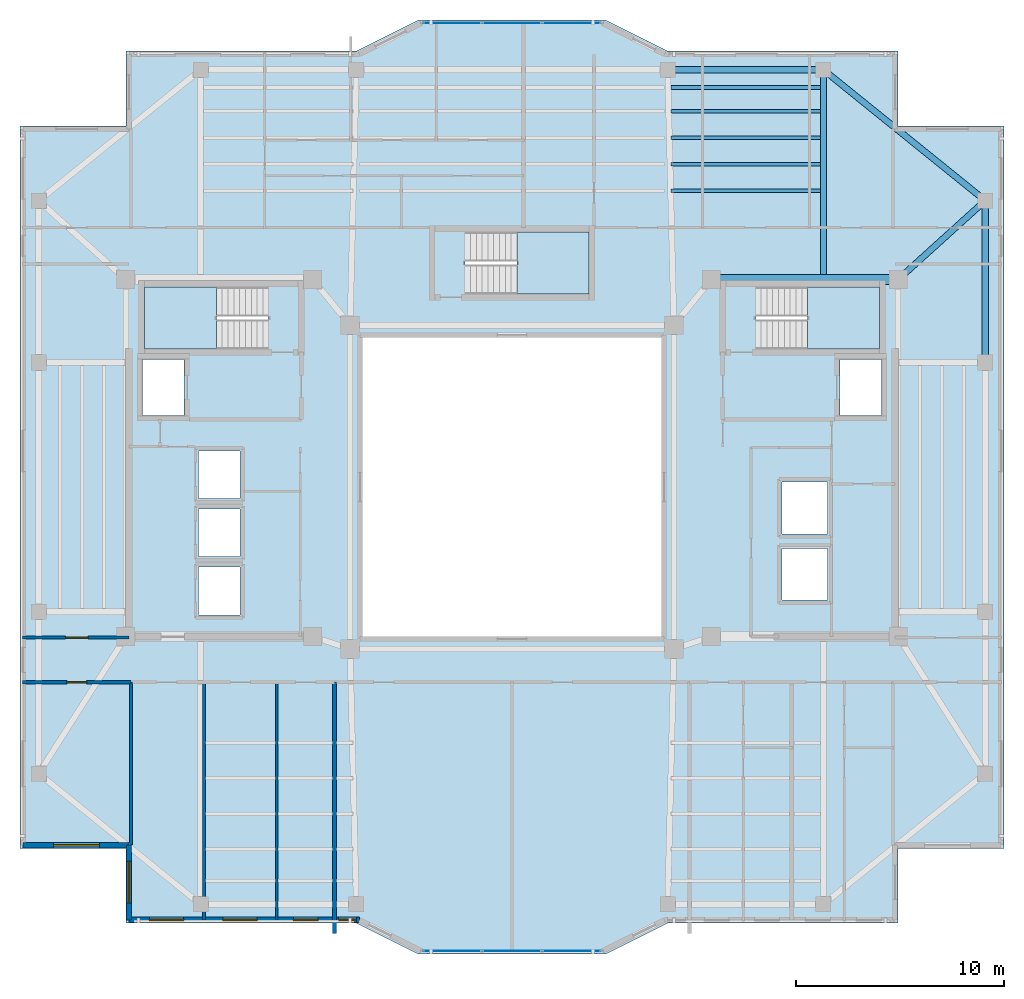
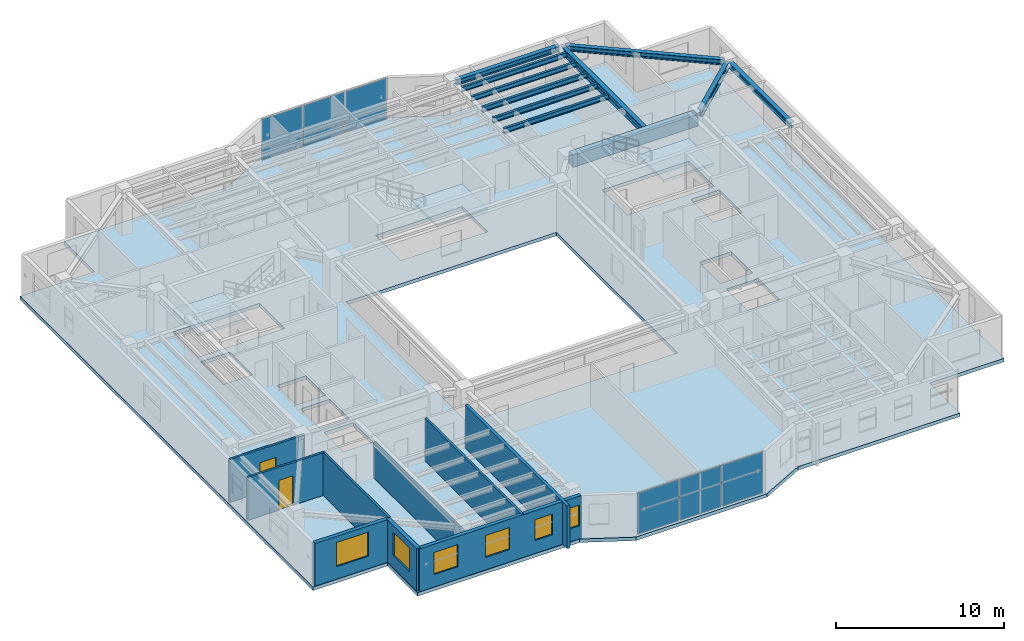
# One storey, part 5 of 13: 11 beams, 9 walls, 6 plates, 6 windows, 4 slabs, 2 doors, 8 openings, 5 elements without a shape of their own.
"""IFC4 building model written with IfcOpenShell, lengths in metres."""

from ifc_helpers import new_model, si_unit, direction, frame, frame_2d, origin, origin_2d, place, context, subcontext, project, spatial, polyline, rectangle, i_section, outline, extrude, material, layer, layer_set, material_profile, profile_set, type_object, element, fill, aggregate, save


model = new_model("IFC4")

# Units and contexts
model_context = context("Model", 3, precision=1e-05, world=origin(), true_north=direction((0.0, 1.0)))
body_context = subcontext(model_context, "Body", "Model", "MODEL_VIEW")
ifc_project = project(units=[si_unit("LENGTHUNIT", "METRE"), si_unit("AREAUNIT", "SQUARE_METRE"), si_unit("VOLUMEUNIT", "CUBIC_METRE"), si_unit("PLANEANGLEUNIT", "RADIAN"), si_unit("MASSUNIT", "GRAM", prefix="KILO")], contexts=[model_context])

# Site, building, storey
site_placement = place(None, origin())
site = spatial("IfcSite", under=ifc_project, at=site_placement, CompositionType="ELEMENT")
building_placement = place(site_placement, origin())
building = spatial("IfcBuilding", under=site, at=building_placement, Name="Tarnavaz Court Tower", CompositionType="ELEMENT")
storey_placement = place(building_placement, frame((0.0, 0.0, 196.949951171875)))
storey = spatial("IfcBuildingStorey", under=building, at=storey_placement, Name="L53", CompositionType="ELEMENT", Elevation=196.949951171875)

# Beams
ifc_material_1 = material(Name="Concrete C50/60", Category="concrete")
ifc_material_profile_1 = material_profile(ifc_material_1, rectangle(XDim=0.5, YDim=0.85009765625, at=origin_2d()), Name="RC 500X850")
ifc_profile_set_1 = profile_set([ifc_material_profile_1], Name="Concrete C50/60")
beam_type_1 = type_object("IfcBeamType", Name="BM-CB850", PredefinedType="LINTEL", material=ifc_profile_set_1)
beam_1_placement = place(storey_placement, frame((18.3798828125, 10.0, 2.675048828125), z_axis=(-1.0, 0.0, 0.0), x_axis=(0.0, -1.0, 0.0)))
element("IfcBeam", 1, at=beam_1_placement, inside=storey, type_object=beam_type_1, Name="L53 Beam IN-CE-NO-CE-NI", PredefinedType="LINTEL", context=body_context, shape_type="SweptSolid", body=[
    extrude(rectangle(XDim=0.5, YDim=0.85009765625, at=origin_2d()), origin(), (0.0, 0.0, 1.0), 8.559814453125),
])
ifc_material_2 = material(Name="Steel S355", Category="steel")
ifc_material_profile_2 = material_profile(ifc_material_2, i_section(OverallWidth=0.300048828125, OverallDepth=0.5, WebThickness=0.014404296875, FlangeThickness=0.028076171875, FilletRadius=0.027099609375, at=origin_2d()), Name="HEB 500")
ifc_profile_set_2 = profile_set([ifc_material_profile_2], Name="Steel S355")
beam_type_2 = type_object("IfcBeamType", Name="BM-G-HEB500", PredefinedType="USERDEFINED", material=ifc_profile_set_2)
beam_2_placement = place(storey_placement, frame((15.0, 10.0400390625, 2.85009765625), z_axis=(0.0, 1.0, 0.0), x_axis=(-1.0, 0.0, 0.0)))
element("IfcBeam", 2, at=beam_2_placement, inside=storey, type_object=beam_type_2, Name="L53 Beam RG-04", ObjectType="GIRDER", PredefinedType="USERDEFINED", context=body_context, shape_type="SweptSolid", body=[
    extrude(i_section(OverallWidth=0.300048828125, OverallDepth=0.5, WebThickness=0.014404296875, FlangeThickness=0.028076171875, FilletRadius=0.027099609375, at=origin_2d()), origin(), (0.0, 0.0, 1.0), 9.83984375),
])
beam_3_placement = place(storey_placement, frame((18.76318359375, 10.147705078125, 2.85009765625), z_axis=(0.741555708494, 0.670891296113, 0.0), x_axis=(-0.670891296113, 0.741555708494, 0.0)))
element("IfcBeam", 3, at=beam_3_placement, inside=storey, type_object=beam_type_2, Name="L53 Beam RG-12", ObjectType="GIRDER", PredefinedType="USERDEFINED", context=body_context, shape_type="SweptSolid", body=[
    extrude(i_section(OverallWidth=0.300048828125, OverallDepth=0.5, WebThickness=0.014404296875, FlangeThickness=0.028076171875, FilletRadius=0.027099609375, at=origin_2d()), origin(), (0.0, 0.0, 1.0), 5.223876953125),
])
ifc_material_profile_3 = material_profile(ifc_material_2, i_section(OverallWidth=0.169921875, OverallDepth=0.360107421875, WebThickness=0.008056640625, FlangeThickness=0.0126953125, FilletRadius=0.01806640625, at=origin_2d()), Name="IPE 360")
ifc_profile_set_3 = profile_set([ifc_material_profile_3], Name="Steel S355")
beam_type_3 = type_object("IfcBeamType", Name="BM-J-IPE360", PredefinedType="JOIST", material=ifc_profile_set_3)
for number, where, z_axis, x_axis, name in (
    (4, (7.64990234375, 14.278076171875, 2.920166015625), (1.0, 0.0, 0.0), (0.0, 1.0, 0.0), "L53 Beam JN1-3"),
    (5, (7.64990234375, 15.555908203125, 2.920166015625), (1.0, 0.0, 0.0), (0.0, 1.0, 0.0), "L53 Beam JN2-3"),
    (6, (7.64990234375, 16.833984375, 2.920166015625), (1.0, 0.0, 0.0), (0.0, 1.0, 0.0), "L53 Beam JN3-3"),
    (7, (7.64990234375, 18.112060546875, 2.920166015625), (1.0, 0.0, 0.0), (0.0, 1.0, 0.0), "L53 Beam JN4-3"),
    (8, (7.64990234375, 19.248046875, 2.920166015625), (1.0, 0.0, 0.0), (0.0, 1.0, 0.0), "L53 Beam JN5-3"),
):
    element("IfcBeam", number, at=place(storey_placement, frame(where, z_axis=z_axis, x_axis=x_axis)), inside=storey, type_object=beam_type_3, Name=name, PredefinedType="JOIST", context=body_context, shape_type="SweptSolid", body=[
        extrude(i_section(OverallWidth=0.169921875, OverallDepth=0.360107421875, WebThickness=0.008056640625, FlangeThickness=0.0126953125, FilletRadius=0.01806640625, at=origin_2d()), origin(), (0.0, 0.0, 1.0), 7.2001953125),
    ])
ifc_material_profile_4 = material_profile(ifc_material_2, i_section(OverallWidth=0.300048828125, OverallDepth=0.389892578125, WebThickness=0.010986328125, FlangeThickness=0.01904296875, FilletRadius=0.027099609375, at=origin_2d()), Name="HEA 400")
ifc_profile_set_4 = profile_set([ifc_material_profile_4], Name="Steel S355")
beam_type_4 = type_object("IfcBeamType", Name="BM-SP-HEA400", PredefinedType="BEAM", material=ifc_profile_set_4)
beam_4_placement = place(storey_placement, frame((7.719970703125, 20.10009765625, 2.905029296875), z_axis=(1.0, 0.0, 0.0), x_axis=(0.0, 1.0, 0.0)))
element("IfcBeam", 9, at=beam_4_placement, inside=storey, type_object=beam_type_4, Name="L53 Beam PR-PN-3-PN-4", PredefinedType="BEAM", context=body_context, shape_type="SweptSolid", body=[
    extrude(i_section(OverallWidth=0.300048828125, OverallDepth=0.389892578125, WebThickness=0.010986328125, FlangeThickness=0.01904296875, FilletRadius=0.027099609375, at=origin_2d()), origin(), (0.0, 0.0, 1.0), 7.06005859375),
])
beam_5_placement = place(storey_placement, frame((22.800048828125, 6.219970703125, 2.905029296875), z_axis=(0.0, 1.0, 0.0), x_axis=(-1.0, 0.0, 0.0)))
element("IfcBeam", 10, at=beam_5_placement, inside=storey, type_object=beam_type_4, Name="L53 Beam PR-PE-3-PE-4", PredefinedType="BEAM", context=body_context, shape_type="SweptSolid", body=[
    extrude(i_section(OverallWidth=0.300048828125, OverallDepth=0.389892578125, WebThickness=0.010986328125, FlangeThickness=0.01904296875, FilletRadius=0.027099609375, at=origin_2d()), origin(), (0.0, 0.0, 1.0), 7.360107421875),
])
beam_6_placement = place(storey_placement, frame((15.171142578125, 19.9619140625, 2.905029296875), z_axis=(0.777935913531, -0.628343627674, 0.0), x_axis=(0.628343627674, 0.777935913531, 0.0)))
element("IfcBeam", 11, at=beam_6_placement, inside=storey, type_object=beam_type_4, Name="L53 Beam PR-PN-4-PE-4", PredefinedType="BEAM", context=body_context, shape_type="SweptSolid", body=[
    extrude(i_section(OverallWidth=0.300048828125, OverallDepth=0.389892578125, WebThickness=0.010986328125, FlangeThickness=0.01904296875, FilletRadius=0.027099609375, at=origin_2d()), origin(), (0.0, 0.0, 1.0), 9.586669921875),
])

# Curtain wall, plates
ifc_material_3 = material(Name="Anodised Aluminium 6063-T6 and Solar Low-E Glazing", Category="aluminium")
ifc_layer_1 = layer(ifc_material_3, 0.159912109375)
ifc_layer_set_1 = layer_set([ifc_layer_1], Name="Anodised Aluminium 6063-T6 and Solar Low-E Glazing")
curtain_wall_type = type_object("IfcCurtainWallType", Name="CW-SYS-03", PredefinedType="NOTDEFINED", material=ifc_layer_set_1)
curtain_wall_1_placement = place(storey_placement, origin())
curtain_wall_1 = element("IfcCurtainWall", 12, at=curtain_wall_1_placement, inside=storey, type_object=curtain_wall_type, Name="L53 Iwan Prow Curtain Wall 7", PredefinedType="NOTDEFINED")
ifc_material_4 = material(Name="Double-Glazed Solar Low-E Glass", Category="glass")
ifc_layer_2 = layer(ifc_material_4, 0.028076171875)
ifc_layer_set_2 = layer_set([ifc_layer_2], Name="Double-Glazed Solar Low-E Glass")
plate_type = type_object("IfcPlateType", Name="CW-PAN-GLZ28", PredefinedType="CURTAIN_PANEL", material=ifc_layer_set_2)
plate_1_placement = place(storey_placement, frame((-2.88134765625, 22.35009765625, 0.06494140625), z_axis=(0.0, 0.0, 1.0), x_axis=(1.0, 0.0, 0.0)))
plate_1 = element("IfcPlate", 13, at=plate_1_placement, type_object=plate_type, Name="CW panel 1.1", PredefinedType="CURTAIN_PANEL", context=body_context, shape_type="SweptSolid", body=[
    extrude(rectangle(XDim=2.78759765625, YDim=0.028076171875, at=origin_2d()), origin(), (0.0, 0.0, 1.0), 2.969970703125),
])
plate_2_placement = place(storey_placement, frame((0.0, 22.35009765625, 0.06494140625), z_axis=(0.0, 0.0, 1.0), x_axis=(1.0, 0.0, 0.0)))
plate_2 = element("IfcPlate", 14, at=plate_2_placement, type_object=plate_type, Name="CW panel 2.1", PredefinedType="CURTAIN_PANEL", context=body_context, shape_type="SweptSolid", body=[
    extrude(rectangle(XDim=2.824951171875, YDim=0.028076171875, at=origin_2d()), origin(), (0.0, 0.0, 1.0), 2.969970703125),
])
plate_3_placement = place(storey_placement, frame((2.88134765625, 22.35009765625, 0.06494140625), z_axis=(0.0, 0.0, 1.0), x_axis=(1.0, 0.0, 0.0)))
plate_3 = element("IfcPlate", 15, at=plate_3_placement, type_object=plate_type, Name="CW panel 3.1", PredefinedType="CURTAIN_PANEL", context=body_context, shape_type="SweptSolid", body=[
    extrude(rectangle(XDim=2.78759765625, YDim=0.028076171875, at=origin_2d()), origin(), (0.0, 0.0, 1.0), 2.969970703125),
])
aggregate(curtain_wall_1, [plate_1, plate_2, plate_3])

curtain_wall_2_placement = place(storey_placement, origin())
curtain_wall_2 = element("IfcCurtainWall", 16, at=curtain_wall_2_placement, inside=storey, type_object=curtain_wall_type, Name="L53 Iwan Prow Curtain Wall 17", PredefinedType="NOTDEFINED")
plate_4_placement = place(storey_placement, frame((2.88134765625, -22.35009765625, 0.06494140625), z_axis=(0.0, 0.0, 1.0), x_axis=(-1.0, 0.0, 0.0)))
plate_4 = element("IfcPlate", 17, at=plate_4_placement, type_object=plate_type, Name="CW panel 1.1", PredefinedType="CURTAIN_PANEL", context=body_context, shape_type="SweptSolid", body=[
    extrude(rectangle(XDim=2.78759765625, YDim=0.028076171875, at=origin_2d()), origin(), (0.0, 0.0, 1.0), 2.969970703125),
])
plate_5_placement = place(storey_placement, frame((0.0, -22.35009765625, 0.06494140625), z_axis=(0.0, 0.0, 1.0), x_axis=(-1.0, 0.0, 0.0)))
plate_5 = element("IfcPlate", 18, at=plate_5_placement, type_object=plate_type, Name="CW panel 2.1", PredefinedType="CURTAIN_PANEL", context=body_context, shape_type="SweptSolid", body=[
    extrude(rectangle(XDim=2.824951171875, YDim=0.028076171875, at=origin_2d()), origin(), (0.0, 0.0, 1.0), 2.969970703125),
])
plate_6_placement = place(storey_placement, frame((-2.88134765625, -22.35009765625, 0.06494140625), z_axis=(0.0, 0.0, 1.0), x_axis=(-1.0, 0.0, 0.0)))
plate_6 = element("IfcPlate", 19, at=plate_6_placement, type_object=plate_type, Name="CW panel 3.1", PredefinedType="CURTAIN_PANEL", context=body_context, shape_type="SweptSolid", body=[
    extrude(rectangle(XDim=2.78759765625, YDim=0.028076171875, at=origin_2d()), origin(), (0.0, 0.0, 1.0), 2.969970703125),
])
aggregate(curtain_wall_2, [plate_4, plate_5, plate_6])

# Stair, slab
ifc_material_5 = material(Name="Concrete C40/50", Category="concrete")
stair_type = type_object("IfcStairType", Name="ST-TWR-20R", PredefinedType="HALF_TURN_STAIR", material=ifc_material_5)
stair_1_placement = place(storey_placement, origin())
stair_1 = element("IfcStair", 20, at=stair_1_placement, inside=storey, type_object=stair_type, Name="L53 West Core Pressurized Exit Stair ST-W1", PredefinedType="HALF_TURN_STAIR")
ifc_layer_3 = layer(ifc_material_5, 0.199951171875)
ifc_layer_set_3 = layer_set([ifc_layer_3], Name="Concrete C40/50")
slab_type_1 = type_object("IfcSlabType", Name="SL-LAND-200", PredefinedType="LANDING", material=ifc_layer_set_3)
slab_1_placement = place(storey_placement, frame((0.0, 0.0, 1.47509765625)))
slab_1 = element("IfcSlab", 21, at=slab_1_placement, type_object=slab_type_1, Name="ST-W1 landing 1", PredefinedType="LANDING", context=body_context, shape_type="SweptSolid", body=[
    extrude(outline(polyline([(-14.239990234375, 9.639892578125), (-17.699951171875, 9.639892578125), (-17.699951171875, 6.64990234375), (-14.239990234375, 6.64990234375), (-14.239990234375, 9.639892578125)])), origin(), (0.0, 0.0, 1.0), 0.199951171875),
])
aggregate(stair_1, [slab_1])

stair_2_placement = place(storey_placement, origin())
stair_2 = element("IfcStair", 22, at=stair_2_placement, inside=storey, type_object=stair_type, Name="L53 East Core Pressurized Exit Stair ST-E1", PredefinedType="HALF_TURN_STAIR")
slab_2_placement = place(storey_placement, frame((0.0, 0.0, 1.47509765625)))
slab_2 = element("IfcSlab", 23, at=slab_2_placement, type_object=slab_type_1, Name="ST-E1 landing 1", PredefinedType="LANDING", context=body_context, shape_type="SweptSolid", body=[
    extrude(outline(polyline([(14.239990234375, 6.64990234375), (17.699951171875, 6.64990234375), (17.699951171875, 9.639892578125), (14.239990234375, 9.639892578125), (14.239990234375, 6.64990234375)])), origin(), (0.0, 0.0, 1.0), 0.199951171875),
])
aggregate(stair_2, [slab_2])

stair_3_placement = place(storey_placement, origin())
stair_3 = element("IfcStair", 24, at=stair_3_placement, inside=storey, type_object=stair_type, Name="L53 North Ring Pressurized Exit Stair ST-N1", PredefinedType="HALF_TURN_STAIR")
slab_3_placement = place(storey_placement, frame((0.0, 0.0, 1.47509765625)))
slab_3 = element("IfcSlab", 25, at=slab_3_placement, type_object=slab_type_1, Name="ST-N1 landing 1", PredefinedType="LANDING", context=body_context, shape_type="SweptSolid", body=[
    extrude(outline(polyline([(0.239990234375, 9.300048828125), (3.699951171875, 9.300048828125), (3.699951171875, 12.2900390625), (0.239990234375, 12.2900390625), (0.239990234375, 9.300048828125)])), origin(), (0.0, 0.0, 1.0), 0.199951171875),
])
aggregate(stair_3, [slab_3])

# Slab
ifc_layer_4 = layer(ifc_material_5, 0.25)
ifc_layer_set_4 = layer_set([ifc_layer_4], Name="Concrete C40/50")
slab_type_2 = type_object("IfcSlabType", Name="SL-RES-250", PredefinedType="FLOOR", material=ifc_layer_set_4)
slab_4_placement = place(storey_placement, frame((0.0, 0.0, -0.25)))
element("IfcSlab", 26, at=slab_4_placement, inside=storey, type_object=slab_type_2, Name="L53 Structural Floor Slab", PredefinedType="FLOOR", context=body_context, shape_type="SweptSolid", body=[
    extrude(outline(polyline([(-18.60009765625, -21.0), (-7.5, -21.0), (-4.5, -22.5), (4.5, -22.5), (7.5, -21.0), (18.60009765625, -21.0), (18.60009765625, -17.39990234375), (23.699951171875, -17.39990234375), (23.699951171875, 17.39990234375), (18.60009765625, 17.39990234375), (18.60009765625, 21.0), (7.5, 21.0), (4.5, 22.5), (-4.5, 22.5), (-7.5, 21.0), (-18.60009765625, 21.0), (-18.60009765625, 17.39990234375), (-23.699951171875, 17.39990234375), (-23.699951171875, -17.39990234375), (-18.60009765625, -17.39990234375), (-18.60009765625, -21.0)]), holes=[polyline([(-7.199951171875, -7.199951171875), (7.199951171875, -7.199951171875), (7.199951171875, 7.199951171875), (-7.199951171875, 7.199951171875), (-7.199951171875, -7.199951171875)]), polyline([(-11.7451171875, 9.639892578125), (-17.699951171875, 9.639892578125), (-17.699951171875, 6.64990234375), (-11.7451171875, 6.64990234375), (-11.7451171875, 9.639892578125)]), polyline([(11.7451171875, 6.64990234375), (17.699951171875, 6.64990234375), (17.699951171875, 9.639892578125), (11.7451171875, 9.639892578125), (11.7451171875, 6.64990234375)]), polyline([(-2.2548828125, 9.300048828125), (3.699951171875, 9.300048828125), (3.699951171875, 12.2900390625), (-2.2548828125, 12.2900390625), (-2.2548828125, 9.300048828125)]), polyline([(-17.800048828125, 3.449951171875), (-15.800048828125, 3.449951171875), (-15.800048828125, 6.14990234375), (-17.800048828125, 6.14990234375), (-17.800048828125, 3.449951171875)]), polyline([(-15.10009765625, -6.14990234375), (-13.10009765625, -6.14990234375), (-13.10009765625, -3.85009765625), (-15.10009765625, -3.85009765625), (-15.10009765625, -6.14990234375)]), polyline([(-15.10009765625, -3.35009765625), (-13.10009765625, -3.35009765625), (-13.10009765625, -1.050048828125), (-15.10009765625, -1.050048828125), (-15.10009765625, -3.35009765625)]), polyline([(-15.10009765625, -0.550048828125), (-13.10009765625, -0.550048828125), (-13.10009765625, 1.75), (-15.10009765625, 1.75), (-15.10009765625, -0.550048828125)]), polyline([(15.800048828125, 3.449951171875), (17.800048828125, 3.449951171875), (17.800048828125, 6.14990234375), (15.800048828125, 6.14990234375), (15.800048828125, 3.449951171875)]), polyline([(13.0, -5.449951171875), (15.199951171875, -5.449951171875), (15.199951171875, -2.949951171875), (13.0, -2.949951171875), (13.0, -5.449951171875)]), polyline([(13.0, -2.25), (15.199951171875, -2.25), (15.199951171875, 0.25), (13.0, 0.25), (13.0, -2.25)])]), origin(), (0.0, 0.0, 1.0), 0.25),
])

# Wall, opening, window
ifc_material_6 = material(Name="Precast Concrete C40/50", Category="concrete")
ifc_layer_5 = layer(ifc_material_6, 0.260009765625)
ifc_layer_set_5 = layer_set([ifc_layer_5], Name="Precast Concrete C40/50")
wall_type_1 = type_object("IfcWallType", Name="WL-EXT-260", PredefinedType="SOLIDWALL", material=ifc_layer_set_5)
wall_1_placement = place(storey_placement, frame((-18.449951171875, -17.25, 0.0), z_axis=(0.0, 0.0, 1.0), x_axis=(-1.0, 0.0, 0.0)))
wall_1 = element("IfcWall", 27, at=wall_1_placement, inside=storey, type_object=wall_type_1, Name="L53 Exterior Terracotta Facade Wall 01", PredefinedType="SOLIDWALL", context=body_context, shape_type="SweptSolid", body=[
    extrude(rectangle(XDim=5.10009765625, YDim=0.260009765625, at=frame_2d((2.550048828125, 0.0))), origin(), (0.0, 0.0, 1.0), 3.10009765625),
])
opening_1_placement = place(wall_1_placement, frame((1.425048828125, 0.0, 0.89990234375)))
opening_1 = element("IfcOpeningElement", 28, at=opening_1_placement, cuts=wall_1, Name="Opening W07", PredefinedType="OPENING", context=body_context, shape_type="SweptSolid", body=[
    extrude(rectangle(XDim=2.199951171875, YDim=1.75, at=frame_2d((1.10009765625, 0.875))), frame((0.0, 0.139892578125, 0.0), z_axis=(0.0, -1.0, 0.0), x_axis=(1.0, 0.0, 0.0)), (0.0, 0.0, 1.0), 0.280029296875),
])
window_type_1 = type_object("IfcWindowType", Name="WN-APT-2200", PartitioningType="TRIPLE_PANEL_VERTICAL", PredefinedType="WINDOW", material=ifc_material_4)
window_1_placement = place(opening_1_placement, origin())
window_1 = element("IfcWindow", 29, at=window_1_placement, inside=storey, type_object=window_type_1, Name="L53 South-West Corner Reading Room Window", OverallHeight=1.75, OverallWidth=2.199951171875, PartitioningType="SINGLE_PANEL", PredefinedType="WINDOW", context=body_context, shape_type="SweptSolid", body=[
    extrude(rectangle(XDim=2.199951171875, YDim=1.75, at=frame_2d((1.10009765625, 0.875))), frame((0.0, 0.030029296875, 0.0), z_axis=(0.0, -1.0, 0.0), x_axis=(1.0, 0.0, 0.0)), (0.0, 0.0, 1.0), 0.06005859375),
])
fill(opening_1, window_1)

# Wall, openings, windows
wall_2_placement = place(storey_placement, frame((-7.35009765625, -20.85009765625, 0.0), z_axis=(0.0, 0.0, 1.0), x_axis=(-1.0, 0.0, 0.0)))
wall_2 = element("IfcWall", 30, at=wall_2_placement, inside=storey, type_object=wall_type_1, Name="L53 Exterior Terracotta Facade Wall 19", PredefinedType="SOLIDWALL", context=body_context, shape_type="SweptSolid", body=[
    extrude(rectangle(XDim=11.099853515625, YDim=0.260009765625, at=frame_2d((5.5498046875, 0.0))), origin(), (0.0, 0.0, 1.0), 3.10009765625),
])
opening_2_placement = place(wall_2_placement, frame((0.1474609375, 0.0, 0.949951171875)))
opening_2 = element("IfcOpeningElement", 31, at=opening_2_placement, cuts=wall_2, Name="Opening W15", PredefinedType="OPENING", context=body_context, shape_type="SweptSolid", body=[
    extrude(rectangle(XDim=0.85009765625, YDim=1.5, at=frame_2d((0.425048828125, 0.75))), frame((0.0, 0.139892578125, 0.0), z_axis=(0.0, -1.0, 0.0), x_axis=(1.0, 0.0, 0.0)), (0.0, 0.0, 1.0), 0.280029296875),
])
opening_3_placement = place(wall_2_placement, frame((1.98681640625, 0.0, 0.949951171875)))
opening_3 = element("IfcOpeningElement", 32, at=opening_3_placement, cuts=wall_2, Name="Opening W05", PredefinedType="OPENING", context=body_context, shape_type="SweptSolid", body=[
    extrude(rectangle(XDim=1.199951171875, YDim=1.5, at=frame_2d((0.60009765625, 0.75))), frame((0.0, 0.139892578125, 0.0), z_axis=(0.0, -1.0, 0.0), x_axis=(1.0, 0.0, 0.0)), (0.0, 0.0, 1.0), 0.280029296875),
])
opening_4_placement = place(wall_2_placement, frame((4.92578125, 0.0, 0.89990234375)))
opening_4 = element("IfcOpeningElement", 33, at=opening_4_placement, cuts=wall_2, Name="Opening W02", PredefinedType="OPENING", context=body_context, shape_type="SweptSolid", body=[
    extrude(rectangle(XDim=1.64990234375, YDim=1.60009765625, at=frame_2d((0.824951171875, 0.800048828125))), frame((0.0, 0.139892578125, 0.0), z_axis=(0.0, -1.0, 0.0), x_axis=(1.0, 0.0, 0.0)), (0.0, 0.0, 1.0), 0.280029296875),
])
opening_5_placement = place(wall_2_placement, frame((8.466796875, 0.0, 0.89990234375)))
opening_5 = element("IfcOpeningElement", 34, at=opening_5_placement, cuts=wall_2, Name="Opening W02", PredefinedType="OPENING", context=body_context, shape_type="SweptSolid", body=[
    extrude(rectangle(XDim=1.64990234375, YDim=1.60009765625, at=frame_2d((0.824951171875, 0.800048828125))), frame((0.0, 0.139892578125, 0.0), z_axis=(0.0, -1.0, 0.0), x_axis=(1.0, 0.0, 0.0)), (0.0, 0.0, 1.0), 0.280029296875),
])
window_type_2 = type_object("IfcWindowType", Name="WN-APT-1200", PartitioningType="SINGLE_PANEL", PredefinedType="WINDOW", material=ifc_material_4)
window_2_placement = place(opening_3_placement, origin())
window_2 = element("IfcWindow", 35, at=window_2_placement, inside=storey, type_object=window_type_2, Name="L53 Resident Focus Seminar Room Window", OverallHeight=1.5, OverallWidth=1.199951171875, PartitioningType="SINGLE_PANEL", PredefinedType="WINDOW", context=body_context, shape_type="SweptSolid", body=[
    extrude(rectangle(XDim=1.199951171875, YDim=1.5, at=frame_2d((0.60009765625, 0.75))), frame((0.0, 0.030029296875, 0.0), z_axis=(0.0, -1.0, 0.0), x_axis=(1.0, 0.0, 0.0)), (0.0, 0.0, 1.0), 0.06005859375),
])
fill(opening_3, window_2)
window_type_3 = type_object("IfcWindowType", Name="WN-APT-1650", PartitioningType="DOUBLE_PANEL_VERTICAL", PredefinedType="WINDOW", material=ifc_material_4)
window_3_placement = place(opening_4_placement, origin())
window_3 = element("IfcWindow", 36, at=window_3_placement, inside=storey, type_object=window_type_3, Name="L53 Quiet Reading Library Room Window", OverallHeight=1.60009765625, OverallWidth=1.64990234375, PartitioningType="SINGLE_PANEL", PredefinedType="WINDOW", context=body_context, shape_type="SweptSolid", body=[
    extrude(rectangle(XDim=1.64990234375, YDim=1.60009765625, at=frame_2d((0.824951171875, 0.800048828125))), frame((0.0, 0.030029296875, 0.0), z_axis=(0.0, -1.0, 0.0), x_axis=(1.0, 0.0, 0.0)), (0.0, 0.0, 1.0), 0.06005859375),
])
fill(opening_4, window_3)
window_4_placement = place(opening_5_placement, origin())
window_4 = element("IfcWindow", 37, at=window_4_placement, inside=storey, type_object=window_type_3, Name="L53 Resident Co-Working Study Room Window", OverallHeight=1.60009765625, OverallWidth=1.64990234375, PartitioningType="SINGLE_PANEL", PredefinedType="WINDOW", context=body_context, shape_type="SweptSolid", body=[
    extrude(rectangle(XDim=1.64990234375, YDim=1.60009765625, at=frame_2d((0.824951171875, 0.800048828125))), frame((0.0, 0.030029296875, 0.0), z_axis=(0.0, -1.0, 0.0), x_axis=(1.0, 0.0, 0.0)), (0.0, 0.0, 1.0), 0.06005859375),
])
fill(opening_5, window_4)
window_type_4 = type_object("IfcWindowType", Name="WN-APT-850", PartitioningType="SINGLE_PANEL", PredefinedType="WINDOW", material=ifc_material_4)
window_5_placement = place(opening_2_placement, origin())
window_5 = element("IfcWindow", 38, at=window_5_placement, inside=storey, type_object=window_type_4, Name="L53 South Courtyard Majlis Lounge Window", OverallHeight=1.5, OverallWidth=0.85009765625, PartitioningType="SINGLE_PANEL", PredefinedType="WINDOW", context=body_context, shape_type="SweptSolid", body=[
    extrude(rectangle(XDim=0.85009765625, YDim=1.5, at=frame_2d((0.425048828125, 0.75))), frame((0.0, 0.030029296875, 0.0), z_axis=(0.0, -1.0, 0.0), x_axis=(1.0, 0.0, 0.0)), (0.0, 0.0, 1.0), 0.06005859375),
])
fill(opening_2, window_5)

# Wall, opening, window
wall_3_placement = place(storey_placement, frame((-18.449951171875, -20.85009765625, 0.0), z_axis=(0.0, 0.0, 1.0), x_axis=(0.0, 1.0, 0.0)))
wall_3 = element("IfcWall", 39, at=wall_3_placement, inside=storey, type_object=wall_type_1, Name="L53 Exterior Terracotta Facade Wall 20", PredefinedType="SOLIDWALL", context=body_context, shape_type="SweptSolid", body=[
    extrude(rectangle(XDim=3.60009765625, YDim=0.260009765625, at=frame_2d((1.800048828125, 0.0))), origin(), (0.0, 0.0, 1.0), 3.10009765625),
])
opening_6_placement = place(wall_3_placement, frame((0.8173828125, 0.0, 0.89990234375)))
opening_6 = element("IfcOpeningElement", 40, at=opening_6_placement, cuts=wall_3, Name="Opening W08", PredefinedType="OPENING", context=body_context, shape_type="SweptSolid", body=[
    extrude(rectangle(XDim=2.0, YDim=1.699951171875, at=frame_2d((1.0, 0.85009765625))), frame((0.0, 0.139892578125, 0.0), z_axis=(0.0, -1.0, 0.0), x_axis=(1.0, 0.0, 0.0)), (0.0, 0.0, 1.0), 0.280029296875),
])
window_type_5 = type_object("IfcWindowType", Name="WN-APT-2000", PartitioningType="DOUBLE_PANEL_VERTICAL", PredefinedType="WINDOW", material=ifc_material_4)
window_6_placement = place(opening_6_placement, origin())
window_6 = element("IfcWindow", 41, at=window_6_placement, inside=storey, type_object=window_type_5, Name="L53 Resident Co-Working Study Room Window", OverallHeight=1.699951171875, OverallWidth=2.0, PartitioningType="SINGLE_PANEL", PredefinedType="WINDOW", context=body_context, shape_type="SweptSolid", body=[
    extrude(rectangle(XDim=2.0, YDim=1.699951171875, at=frame_2d((1.0, 0.85009765625))), frame((0.0, 0.030029296875, 0.0), z_axis=(0.0, -1.0, 0.0), x_axis=(1.0, 0.0, 0.0)), (0.0, 0.0, 1.0), 0.06005859375),
])
fill(opening_6, window_6)

# Wall, opening, door
ifc_material_7 = material(Name="Gypsum Fire-Board on Acoustic Metal Stud", Category="masonry")
ifc_layer_6 = layer(ifc_material_7, 0.14990234375)
ifc_layer_set_6 = layer_set([ifc_layer_6], Name="Gypsum Fire-Board on Acoustic Metal Stud")
wall_type_2 = type_object("IfcWallType", Name="WL-FIRE-150", PredefinedType="PARTITIONING", material=ifc_layer_set_6)
wall_4_placement = place(storey_placement, frame((-23.580078125, -7.25, 0.0), z_axis=(0.0, 0.0, 1.0), x_axis=(1.0, 0.0, 0.0)))
wall_4 = element("IfcWall", 42, at=wall_4_placement, inside=storey, type_object=wall_type_2, Name="L53 Interior Partition 088", PredefinedType="PARTITIONING", context=body_context, shape_type="SweptSolid", body=[
    extrude(rectangle(XDim=5.130126953125, YDim=0.14990234375, at=frame_2d((2.56494140625, 0.0))), origin(), (0.0, 0.0, 1.0), 3.10009765625),
])
opening_7_placement = place(wall_4_placement, frame((2.080078125, 0.0, 0.0)))
opening_7 = element("IfcOpeningElement", 43, at=opening_7_placement, cuts=wall_4, Name="Opening D12", PredefinedType="OPENING", context=body_context, shape_type="SweptSolid", body=[
    extrude(rectangle(XDim=1.080078125, YDim=2.14990234375, at=frame_2d((0.5400390625, 1.074951171875))), frame((0.0, 0.0849609375, 0.0), z_axis=(0.0, -1.0, 0.0), x_axis=(1.0, 0.0, 0.0)), (0.0, 0.0, 1.0), 0.169921875),
])
ifc_material_8 = material(Name="Engineered Oak Timber", Category="wood")
door_type_1 = type_object("IfcDoorType", Name="DR-INT-1100", OperationType="NOTDEFINED", PredefinedType="DOOR", material=ifc_material_8)
door_1_placement = place(opening_7_placement, origin())
door_1 = element("IfcDoor", 44, at=door_1_placement, inside=storey, type_object=door_type_1, Name="L53 West Study Gallery Door", OperationType="SINGLE_SWING_RIGHT", OverallHeight=2.14990234375, OverallWidth=1.080078125, PredefinedType="DOOR", context=body_context, shape_type="SweptSolid", body=[
    extrude(rectangle(XDim=1.080078125, YDim=2.14990234375, at=frame_2d((0.5400390625, 1.074951171875))), frame((0.0, 0.02490234375, 0.0), z_axis=(0.0, -1.0, 0.0), x_axis=(1.0, 0.0, 0.0)), (0.0, 0.0, 1.0), 0.050048828125),
])
fill(opening_7, door_1)

wall_5_placement = place(storey_placement, frame((-23.580078125, -9.39990234375, 0.0), z_axis=(0.0, 0.0, 1.0), x_axis=(1.0, 0.0, 0.0)))
wall_5 = element("IfcWall", 45, at=wall_5_placement, inside=storey, type_object=wall_type_2, Name="L53 Interior Partition 098", PredefinedType="PARTITIONING", context=body_context, shape_type="SweptSolid", body=[
    extrude(rectangle(XDim=5.22998046875, YDim=0.14990234375, at=frame_2d((2.614990234375, 0.0))), origin(), (0.0, 0.0, 1.0), 3.10009765625),
])
opening_8_placement = place(wall_5_placement, frame((2.139892578125, 0.0, 0.0)))
opening_8 = element("IfcOpeningElement", 46, at=opening_8_placement, cuts=wall_5, Name="Opening D13", PredefinedType="OPENING", context=body_context, shape_type="SweptSolid", body=[
    extrude(rectangle(XDim=0.949951171875, YDim=2.14990234375, at=frame_2d((0.47509765625, 1.074951171875))), frame((0.0, 0.0849609375, 0.0), z_axis=(0.0, -1.0, 0.0), x_axis=(1.0, 0.0, 0.0)), (0.0, 0.0, 1.0), 0.169921875),
])
door_type_2 = type_object("IfcDoorType", Name="DR-INT-950", OperationType="NOTDEFINED", PredefinedType="DOOR", material=ifc_material_8)
door_2_placement = place(opening_8_placement, origin())
door_2 = element("IfcDoor", 47, at=door_2_placement, inside=storey, type_object=door_type_2, Name="L53 SW Reading Room Door", OperationType="SINGLE_SWING_RIGHT", OverallHeight=2.14990234375, OverallWidth=0.949951171875, PredefinedType="DOOR", context=body_context, shape_type="SweptSolid", body=[
    extrude(rectangle(XDim=0.949951171875, YDim=2.14990234375, at=frame_2d((0.47509765625, 1.074951171875))), frame((0.0, 0.02490234375, 0.0), z_axis=(0.0, -1.0, 0.0), x_axis=(1.0, 0.0, 0.0)), (0.0, 0.0, 1.0), 0.050048828125),
])
fill(opening_8, door_2)

# Walls
ifc_material_9 = material(Name="Autoclaved Aerated Concrete Blockwork", Category="masonry")
ifc_layer_7 = layer(ifc_material_9, 0.199951171875)
ifc_layer_set_7 = layer_set([ifc_layer_7], Name="Autoclaved Aerated Concrete Blockwork")
wall_type_3 = type_object("IfcWallType", Name="WL-FIRE-200", PredefinedType="SOLIDWALL", material=ifc_layer_set_7)
wall_6_placement = place(storey_placement, frame((-8.550048828125, -21.50390625, 0.0), z_axis=(0.0, 0.0, 1.0), x_axis=(0.0, 1.0, 0.0)))
element("IfcWall", 48, at=wall_6_placement, inside=storey, type_object=wall_type_3, Name="L53 Party Wall 084", PredefinedType="SOLIDWALL", context=body_context, shape_type="SweptSolid", body=[
    extrude(rectangle(XDim=12.10400390625, YDim=0.199951171875, at=frame_2d((6.052001953125, 0.0))), origin(), (0.0, 0.0, 1.0), 3.10009765625),
])
ifc_material_10 = material(Name="Gypsum Plasterboard Acoustic Partition", Category="masonry")
ifc_layer_8 = layer(ifc_material_10, 0.139892578125)
ifc_layer_set_8 = layer_set([ifc_layer_8], Name="Gypsum Plasterboard Acoustic Partition")
wall_type_4 = type_object("IfcWallType", Name="WL-PART-150", PredefinedType="PARTITIONING", material=ifc_layer_set_8)
wall_7_placement = place(storey_placement, frame((-14.840087890625, -20.85009765625, 0.0), z_axis=(0.0, 0.0, 1.0), x_axis=(0.0, 1.0, 0.0)))
element("IfcWall", 49, at=wall_7_placement, inside=storey, type_object=wall_type_4, Name="L53 Interior Partition 075", PredefinedType="PARTITIONING", context=body_context, shape_type="SweptSolid", body=[
    extrude(rectangle(XDim=11.4501953125, YDim=0.139892578125, at=frame_2d((5.72509765625, 0.0))), origin(), (0.0, 0.0, 1.0), 2.5849609375),
])
wall_8_placement = place(storey_placement, frame((-11.330078125, -20.85009765625, 0.0), z_axis=(0.0, 0.0, 1.0), x_axis=(0.0, 1.0, 0.0)))
element("IfcWall", 50, at=wall_8_placement, inside=storey, type_object=wall_type_4, Name="L53 Interior Partition 076", PredefinedType="PARTITIONING", context=body_context, shape_type="SweptSolid", body=[
    extrude(rectangle(XDim=11.4501953125, YDim=0.139892578125, at=frame_2d((5.72509765625, 0.0))), origin(), (0.0, 0.0, 1.0), 3.10009765625),
])
wall_9_placement = place(storey_placement, frame((-18.35009765625, -17.25, 0.0), z_axis=(0.0, 0.0, 1.0), x_axis=(0.0, 1.0, 0.0)))
element("IfcWall", 51, at=wall_9_placement, inside=storey, type_object=wall_type_4, Name="L53 Interior Partition 092", PredefinedType="PARTITIONING", context=body_context, shape_type="SweptSolid", body=[
    extrude(rectangle(XDim=7.85009765625, YDim=0.139892578125, at=frame_2d((3.925048828125, 0.0))), origin(), (0.0, 0.0, 1.0), 3.10009765625),
])

save(model, "model.ifc")
